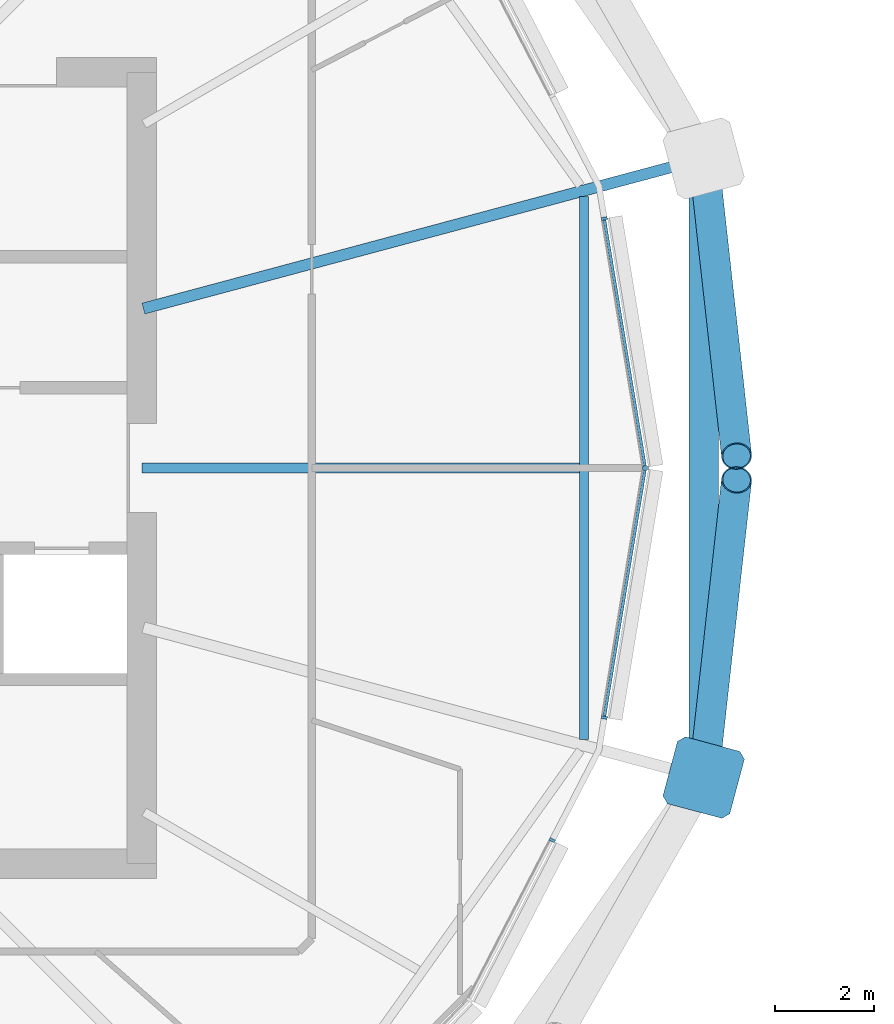
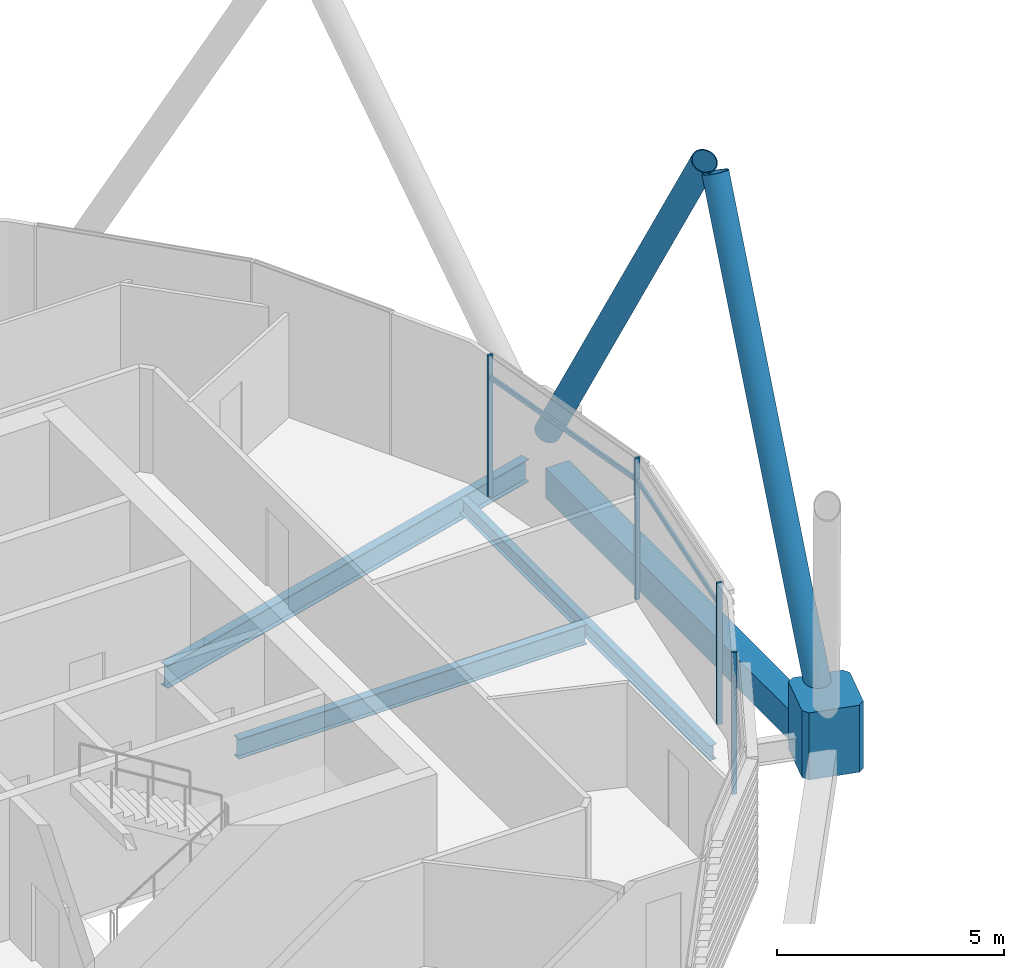
# One storey, part 8 of 37: 9 members, 4 beams, 1 element without a shape of its own.
"""IFC4 building model written with IfcOpenShell, lengths in metres."""

from ifc_helpers import new_model, si_unit, direction, frame, origin, origin_2d, place, context, subcontext, project, spatial, polyline, rectangle, hollow_rectangle, hollow_circle, i_section, outline, extrude, material, material_profile, profile_set, type_object, element, aggregate, save


model = new_model("IFC4")

# Units and contexts
model_context = context("Model", 3, precision=1e-05, world=origin(), true_north=direction((0.0, 1.0)))
body_context = subcontext(model_context, "Body", "Model", "MODEL_VIEW")
ifc_project = project(units=[si_unit("LENGTHUNIT", "METRE"), si_unit("AREAUNIT", "SQUARE_METRE"), si_unit("VOLUMEUNIT", "CUBIC_METRE"), si_unit("PLANEANGLEUNIT", "RADIAN"), si_unit("MASSUNIT", "GRAM", prefix="KILO")], contexts=[model_context])

# Site, building, storey
site_placement = place(None, origin())
site = spatial("IfcSite", under=ifc_project, at=site_placement, CompositionType="ELEMENT")
building_placement = place(site_placement, origin())
building = spatial("IfcBuilding", under=site, at=building_placement, Name="Rimbun Link Towers", CompositionType="ELEMENT")
storey_placement = place(building_placement, frame((0.0, 0.0, 170.300048828125)))
storey = spatial("IfcBuildingStorey", under=building, at=storey_placement, Name="L41", CompositionType="ELEMENT", Elevation=170.300048828125)

# Curtain wall, members
ifc_material_1 = material(Name="Aluminium 6063-T6 and low-iron glass", Category="aluminium")
curtain_wall_type = type_object("IfcCurtainWallType", Name="CW1-Z3 unitised vision wall (zone 3)", PredefinedType="NOTDEFINED", material=ifc_material_1)
curtain_wall_placement = place(storey_placement, origin())
curtain_wall = element("IfcCurtainWall", 1, at=curtain_wall_placement, inside=storey, type_object=curtain_wall_type, Name="CW1 L41 T1", PredefinedType="NOTDEFINED")
ifc_material_2 = material(Name="Aluminium 6063-T6", Category="aluminium")
ifc_material_profile_1 = material_profile(ifc_material_2, rectangle(XDim=0.1201171875, YDim=0.06005859375, at=origin_2d()), Name="MULLION 60X120")
ifc_profile_set_1 = profile_set([ifc_material_profile_1], Name="Aluminium 6063-T6")
member_type_1 = type_object("IfcMemberType", Name="CW1 mullion 60X120", PredefinedType="MULLION", material=ifc_profile_set_1)
member_1_placement = place(storey_placement, frame((-10.400146484375, 5.044921875, 0.0), z_axis=(0.0, 0.0, 1.0), x_axis=(0.986749118387, 0.162253435593, 0.0)))
member_1 = element("IfcMember", 2, at=member_1_placement, type_object=member_type_1, Name="CW1 mullion", PredefinedType="MULLION", context=body_context, shape_type="SweptSolid", body=[
    extrude(rectangle(XDim=0.1201171875, YDim=0.06005859375, at=origin_2d()), origin(), (0.0, 0.0, 1.0), 3.800048828125),
])
member_2_placement = place(storey_placement, frame((-9.571533203125, 0.0, 0.0), z_axis=(0.0, 0.0, 1.0), x_axis=(1.0, 0.0, 0.0)))
member_2 = element("IfcMember", 3, at=member_2_placement, type_object=member_type_1, Name="CW1 mullion", PredefinedType="MULLION", context=body_context, shape_type="SweptSolid", body=[
    extrude(rectangle(XDim=0.1201171875, YDim=0.06005859375, at=origin_2d()), origin(), (0.0, 0.0, 1.0), 3.800048828125),
])
member_3_placement = place(storey_placement, frame((-11.45361328125, -7.524658203125, 0.0), z_axis=(0.0, 0.0, 1.0), x_axis=(0.888147060993, -0.459559352042, 0.0)))
member_3 = element("IfcMember", 4, at=member_3_placement, type_object=member_type_1, Name="CW1 mullion", PredefinedType="MULLION", context=body_context, shape_type="SweptSolid", body=[
    extrude(rectangle(XDim=0.1201171875, YDim=0.06005859375, at=origin_2d()), origin(), (0.0, 0.0, 1.0), 3.800048828125),
])
member_4_placement = place(storey_placement, frame((-10.400146484375, -5.044921875, 0.0), z_axis=(0.0, 0.0, 1.0), x_axis=(0.986749118387, -0.162253435593, 0.0)))
member_4 = element("IfcMember", 5, at=member_4_placement, type_object=member_type_1, Name="CW1 mullion", PredefinedType="MULLION", context=body_context, shape_type="SweptSolid", body=[
    extrude(rectangle(XDim=0.1201171875, YDim=0.06005859375, at=origin_2d()), origin(), (0.0, 0.0, 1.0), 3.800048828125),
])
ifc_material_3 = material(Name="Aluminium 6063-T6", Category="aluminium")
ifc_material_profile_2 = material_profile(ifc_material_3, rectangle(XDim=0.06005859375, YDim=0.1201171875, at=origin_2d()), Name="TRANSOM 60X120")
ifc_profile_set_2 = profile_set([ifc_material_profile_2], Name="Aluminium 6063-T6")
member_type_2 = type_object("IfcMemberType", Name="CW1 transom 60X120", PredefinedType="USERDEFINED", material=ifc_profile_set_2)
member_5_placement = place(storey_placement, frame((-10.397216796875, 5.014892578125, 3.199951171875), z_axis=(0.162239534615, -0.986751404057, 0.0), x_axis=(0.986751404057, 0.162239534615, 0.0)))
member_5 = element("IfcMember", 6, at=member_5_placement, type_object=member_type_2, Name="CW1 transom", ObjectType="TRANSOM", PredefinedType="USERDEFINED", context=body_context, shape_type="SweptSolid", body=[
    extrude(rectangle(XDim=0.06005859375, YDim=0.1201171875, at=origin_2d()), origin(), (0.0, 0.0, 1.0), 5.042724609375),
])
member_6_placement = place(storey_placement, frame((-9.5791015625, -0.0390625, 3.199951171875), z_axis=(-0.162239534615, -0.986751404057, 0.0), x_axis=(0.986751404057, -0.162239534615, 0.0)))
member_6 = element("IfcMember", 7, at=member_6_placement, type_object=member_type_2, Name="CW1 transom", ObjectType="TRANSOM", PredefinedType="USERDEFINED", context=body_context, shape_type="SweptSolid", body=[
    extrude(rectangle(XDim=0.06005859375, YDim=0.1201171875, at=origin_2d()), origin(), (0.0, 0.0, 1.0), 5.042724609375),
])
aggregate(curtain_wall, [member_1, member_2, member_3, member_4, member_5, member_6])

# Members
ifc_material_4 = material(Name="Steel S355J2H", Category="steel")
ifc_material_profile_3 = material_profile(ifc_material_4, hollow_circle(Radius=0.3046875, WallThickness=0.02490234375, at=origin_2d()), Name="Diagrid diagonal CHS 610x25")
ifc_profile_set_3 = profile_set([ifc_material_profile_3], Name="Steel S355J2H")
member_type_3 = type_object("IfcMemberType", Name="Diagrid diagonal CHS 610x25", PredefinedType="BRACE", material=ifc_profile_set_3)
for number, where, z_axis, x_axis, name in (
    (8, (-8.364990234375, 6.0185546875, 0.437744140625), (0.053180180378, -0.480591259708, 0.875330742923), (0.993933310908, 0.109984423748, 0.0), "Diagrid diagonal T1 L41-L44 01a"),
    (9, (-8.364990234375, -6.0185546875, 0.437744140625), (0.053180180378, 0.480591259708, 0.875330742923), (-0.993933310908, 0.109984423748, 0.0), "Diagrid diagonal T1 L41-L44 23b"),
):
    element("IfcMember", number, at=place(storey_placement, frame(where, z_axis=z_axis, x_axis=x_axis)), inside=storey, type_object=member_type_3, Name=name, PredefinedType="BRACE", context=body_context, shape_type="SweptSolid", body=[
        extrude(hollow_circle(Radius=0.3046875, WallThickness=0.02490234375, at=origin_2d()), origin(), (0.0, 0.0, 1.0), 12.0234375),
    ])
ifc_material_5 = material(Name="Cast steel G20Mn5+QT, Rp0.2 300 MPa", Category="steel")
ifc_material_profile_4 = material_profile(ifc_material_5, outline(polyline([(0.699951171875, -0.570068359375), (0.699951171875, 0.570068359375), (0.570068359375, 0.699951171875), (-0.570068359375, 0.699951171875), (-0.699951171875, 0.570068359375), (-0.699951171875, -0.570068359375), (-0.570068359375, -0.699951171875), (0.570068359375, -0.699951171875), (0.699951171875, -0.570068359375)])), Name="NODE 1400x1400")
ifc_profile_set_4 = profile_set([ifc_material_profile_4], Name="Cast steel G20Mn5+QT, Rp0.2 300 MPa")
member_type_4 = type_object("IfcMemberType", Name="Diagrid node cast 1400", PredefinedType="USERDEFINED", material=ifc_profile_set_4)
member_7_placement = place(storey_placement, frame((-8.3916015625, -6.2587890625, -0.900146484375), z_axis=(0.0, 0.0, 1.0), x_axis=(0.965925826289, -0.258819045103, 0.0)))
element("IfcMember", 10, at=member_7_placement, inside=storey, type_object=member_type_4, Name="Diagrid node L41 23", ObjectType="Diagrid node", PredefinedType="USERDEFINED", context=body_context, shape_type="SweptSolid", body=[
    extrude(outline(polyline([(0.699951171875, -0.570068359375), (0.699951171875, 0.570068359375), (0.570068359375, 0.699951171875), (-0.570068359375, 0.699951171875), (-0.699951171875, 0.570068359375), (-0.699951171875, -0.570068359375), (-0.570068359375, -0.699951171875), (0.570068359375, -0.699951171875), (0.699951171875, -0.570068359375)])), origin(), (0.0, 0.0, 1.0), 1.800048828125),
])

# Beams
ifc_material_6 = material(Name="Steel S355J2", Category="steel")
ifc_material_profile_5 = material_profile(ifc_material_6, hollow_rectangle(XDim=0.60009765625, YDim=0.800048828125, WallThickness=0.0400390625, at=origin_2d()), Name="Exoskeleton ring girder BOX 600x800x40")
ifc_profile_set_5 = profile_set([ifc_material_profile_5], Name="Steel S355J2")
beam_type_1 = type_object("IfcBeamType", Name="Exoskeleton ring girder BOX 600x800x40", PredefinedType="BEAM", material=ifc_profile_set_5)
beam_1_placement = place(storey_placement, frame((-8.3916015625, -5.558837890625, -0.56005859375), z_axis=(0.0, 1.0, 0.0), x_axis=(-1.0, 0.0, 0.0)))
element("IfcBeam", 11, at=beam_1_placement, inside=storey, type_object=beam_type_1, Name="Exoskeleton ring girder L41 08", PredefinedType="BEAM", context=body_context, shape_type="SweptSolid", body=[
    extrude(hollow_rectangle(XDim=0.60009765625, YDim=0.800048828125, WallThickness=0.0400390625, at=origin_2d()), origin(), (0.0, 0.0, 1.0), 11.11767578125),
])
ifc_material_7 = material(Name="Steel S355J2", Category="steel")
ifc_material_profile_6 = material_profile(ifc_material_7, i_section(OverallWidth=0.177978515625, OverallDepth=0.406494140625, WebThickness=0.0078125, FlangeThickness=0.0126953125, at=origin_2d()), Name="UB 406x178x60")
ifc_profile_set_6 = profile_set([ifc_material_profile_6], Name="Steel S355J2")
beam_type_2 = type_object("IfcBeamType", Name="UB 406x178x60", PredefinedType="BEAM", material=ifc_profile_set_6)
beam_2_placement = place(storey_placement, frame((-10.81201171875, -5.491455078125, -0.353271484375), z_axis=(0.0, 1.0, 0.0), x_axis=(-1.0, 0.0, 0.0)))
element("IfcBeam", 12, at=beam_2_placement, inside=storey, type_object=beam_type_2, Name="Edge beam T1 L41 23-01", PredefinedType="BEAM", context=body_context, shape_type="SweptSolid", body=[
    extrude(i_section(OverallWidth=0.177978515625, OverallDepth=0.406494140625, WebThickness=0.0078125, FlangeThickness=0.0126953125, at=origin_2d()), origin(), (0.0, 0.0, 1.0), 10.98291015625),
])
ifc_material_8 = material(Name="Steel S355J2", Category="steel")
ifc_material_profile_7 = material_profile(ifc_material_8, i_section(OverallWidth=0.209228515625, OverallDepth=0.533203125, WebThickness=0.010009765625, FlangeThickness=0.015625, at=origin_2d()), Name="UB 533x210x92")
ifc_profile_set_7 = profile_set([ifc_material_profile_7], Name="Steel S355J2")
beam_type_3 = type_object("IfcBeamType", Name="UB 533x210x92", PredefinedType="BEAM", material=ifc_profile_set_7)
beam_3_placement = place(storey_placement, frame((-19.7490234375, 0.0, -0.41650390625), z_axis=(1.0, 0.0, 0.0), x_axis=(0.0, 1.0, 0.0)))
element("IfcBeam", 13, at=beam_3_placement, inside=storey, type_object=beam_type_3, Name="Radial beam T1 L41 00", PredefinedType="BEAM", context=body_context, shape_type="SweptSolid", body=[
    extrude(i_section(OverallWidth=0.209228515625, OverallDepth=0.533203125, WebThickness=0.010009765625, FlangeThickness=0.015625, at=origin_2d()), origin(), (0.0, 0.0, 1.0), 8.846923828125),
])
ifc_material_9 = material(Name="Steel S355J2", Category="steel")
ifc_material_profile_8 = material_profile(ifc_material_9, i_section(OverallWidth=0.2275390625, OverallDepth=0.6025390625, WebThickness=0.010498046875, FlangeThickness=0.014892578125, at=origin_2d()), Name="UB 610x229x101")
ifc_profile_set_8 = profile_set([ifc_material_profile_8], Name="Steel S355J2")
beam_type_4 = type_object("IfcBeamType", Name="UB 610x229x101", PredefinedType="BEAM", material=ifc_profile_set_8)
beam_4_placement = place(storey_placement, frame((-19.719482421875, 3.2236328125, -0.451416015625), z_axis=(0.965928930718, 0.258807458936, 0.0), x_axis=(-0.258807458936, 0.965928930718, 0.0)))
element("IfcBeam", 14, at=beam_4_placement, inside=storey, type_object=beam_type_4, Name="Radial beam T1 L41 01", PredefinedType="BEAM", context=body_context, shape_type="SweptSolid", body=[
    extrude(i_section(OverallWidth=0.2275390625, OverallDepth=0.6025390625, WebThickness=0.010498046875, FlangeThickness=0.014892578125, at=origin_2d()), origin(), (0.0, 0.0, 1.0), 11.2275390625),
])

save(model, "model.ifc")
